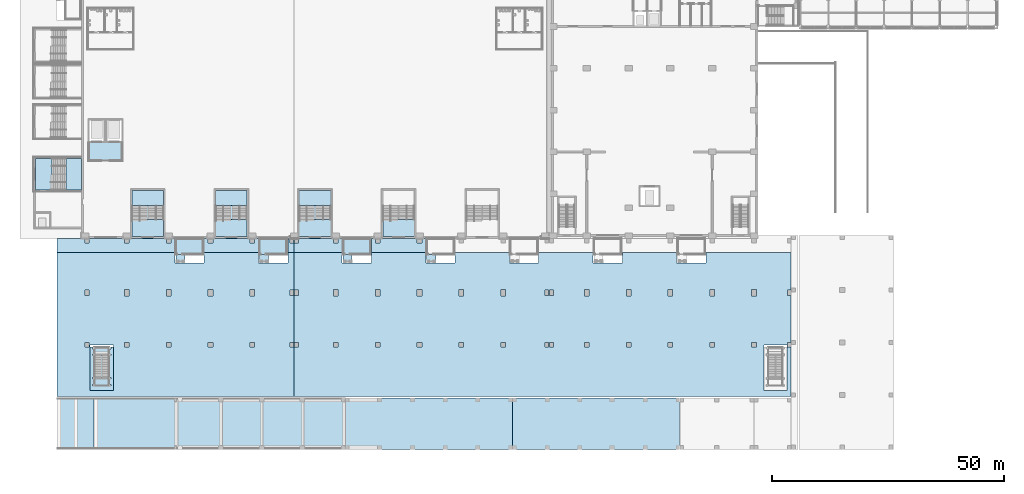
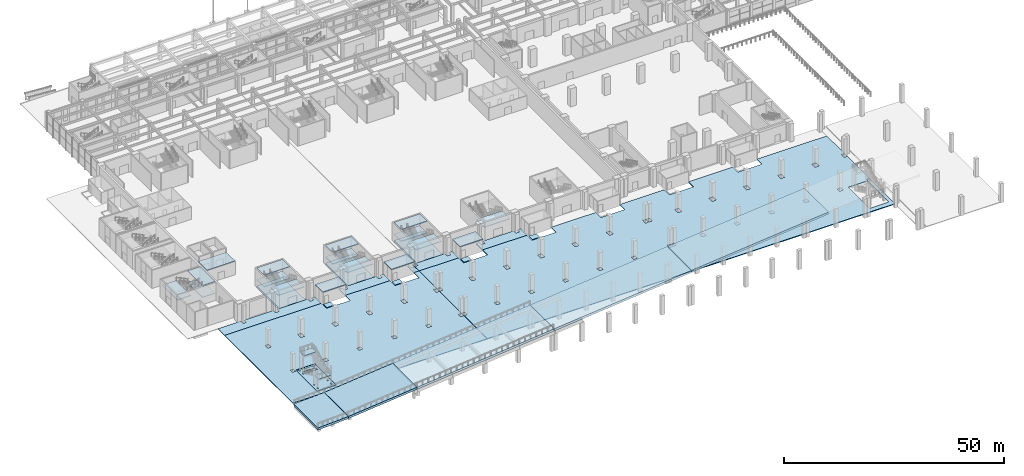
# One storey, part 29 of 77: 39 slabs, 10 elements without a shape of their own.
"""IFC4 building model written with IfcOpenShell, lengths in metres."""

from ifc_helpers import new_model, si_unit, direction, frame, origin, origin_with_axes, place, context, subcontext, project, spatial, polyline, outline, extrude, material, layer, layer_set, type_object, element, aggregate, save


model = new_model("IFC4")

# Units and contexts
model_context = context("Model", 3, precision=1e-05, world=origin(), true_north=direction((0.0, 1.0)))
body_context = subcontext(model_context, "Body", "Model", "MODEL_VIEW")
ifc_project = project(units=[si_unit("LENGTHUNIT", "METRE"), si_unit("AREAUNIT", "SQUARE_METRE"), si_unit("VOLUMEUNIT", "CUBIC_METRE"), si_unit("PLANEANGLEUNIT", "RADIAN"), si_unit("MASSUNIT", "GRAM", prefix="KILO")], contexts=[model_context])

# Site, building, storey
site_placement = place(None, origin())
site = spatial("IfcSite", under=ifc_project, at=site_placement, CompositionType="ELEMENT")
building_placement = place(site_placement, origin())
building = spatial("IfcBuilding", under=site, at=building_placement, Name="Aravalli Gate Trade Fair Centre", CompositionType="ELEMENT")
storey_placement = place(building_placement, origin())
storey = spatial("IfcBuildingStorey", under=building, at=storey_placement, Name="L00", CompositionType="ELEMENT", Elevation=0.0)

# Slabs
ifc_material_1 = material(Name="Concrete M40", Category="concrete")
ifc_layer_1 = layer(ifc_material_1, 0.199951171875)
ifc_layer_set_1 = layer_set([ifc_layer_1], Name="Concrete M40")
slab_type_1 = type_object("IfcSlabType", Name="Apron paving 200", PredefinedType="USERDEFINED", material=ifc_layer_set_1)
slab_1_placement = place(storey_placement, frame((0.0, 0.0, -0.199951171875)))
element("IfcSlab", 1, at=slab_1_placement, inside=storey, type_object=slab_type_1, Name="Paving yard 1, part 1 of 2", ObjectType="PAVING", PredefinedType="USERDEFINED", context=body_context, shape_type="SweptSolid", body=[
    extrude(outline(polyline([(25.35009765625, 40.10009765625), (25.35009765625, 42.39990234375), (0.0, 42.39990234375), (0.0, 11.39990234375), (50.97998046875, 11.39990234375), (50.97998046875, 42.39990234375), (49.64990234375, 42.39990234375), (49.64990234375, 40.10009765625), (43.35009765625, 40.10009765625), (43.35009765625, 42.39990234375), (31.64990234375, 42.39990234375), (31.64990234375, 40.10009765625), (25.35009765625, 40.10009765625)]), holes=[polyline([(7.10009765625, 12.699951171875), (7.10009765625, 22.39990234375), (12.10009765625, 22.39990234375), (12.10009765625, 12.699951171875), (7.10009765625, 12.699951171875)]), polyline([(50.89990234375, 33.10009765625), (50.10009765625, 33.10009765625), (50.10009765625, 34.300048828125), (50.89990234375, 34.300048828125), (50.89990234375, 33.10009765625)]), polyline([(50.89990234375, 22.0), (50.10009765625, 22.0), (50.10009765625, 23.0), (50.89990234375, 23.0), (50.89990234375, 22.0)]), polyline([(42.5, 33.0), (41.5, 33.0), (41.5, 34.39990234375), (42.5, 34.39990234375), (42.5, 33.0)]), polyline([(41.5, 22.0), (41.5, 23.0), (42.5, 23.0), (42.5, 22.0), (41.5, 22.0)]), polyline([(33.5, 33.0), (32.5, 33.0), (32.5, 34.39990234375), (33.5, 34.39990234375), (33.5, 33.0)]), polyline([(32.5, 22.0), (32.5, 23.0), (33.5, 23.0), (33.5, 22.0), (32.5, 22.0)]), polyline([(24.5, 33.0), (23.5, 33.0), (23.5, 34.39990234375), (24.5, 34.39990234375), (24.5, 33.0)]), polyline([(24.5, 22.0), (23.5, 22.0), (23.5, 23.0), (24.5, 23.0), (24.5, 22.0)]), polyline([(15.5, 33.0), (14.5, 33.0), (14.5, 34.39990234375), (15.5, 34.39990234375), (15.5, 33.0)]), polyline([(15.5, 22.0), (14.5, 22.0), (14.5, 23.0), (15.5, 23.0), (15.5, 22.0)]), polyline([(6.800048828125, 33.10009765625), (6.0, 33.10009765625), (6.0, 34.300048828125), (6.800048828125, 34.300048828125), (6.800048828125, 33.10009765625)]), polyline([(6.800048828125, 22.0), (6.0, 22.0), (6.0, 23.0), (6.800048828125, 23.0), (6.800048828125, 22.0)])]), origin(), (0.0, 0.0, 1.0), 0.199951171875),
])
slab_2_placement = place(storey_placement, frame((0.0, 0.0, -0.199951171875)))
element("IfcSlab", 2, at=slab_2_placement, inside=storey, type_object=slab_type_1, Name="Paving yard 1, part 2 of 2", ObjectType="PAVING", PredefinedType="USERDEFINED", context=body_context, shape_type="SweptSolid", body=[
    extrude(outline(polyline([(61.35009765625, 42.39990234375), (51.02001953125, 42.39990234375), (51.02001953125, 11.39990234375), (158.0, 11.39990234375), (158.0, 42.39990234375), (139.64990234375, 42.39990234375), (139.64990234375, 40.10009765625), (133.35009765625, 40.10009765625), (133.35009765625, 42.39990234375), (121.64990234375, 42.39990234375), (121.64990234375, 40.10009765625), (115.35009765625, 40.10009765625), (115.35009765625, 42.39990234375), (103.64990234375, 42.39990234375), (103.64990234375, 40.10009765625), (97.35009765625, 40.10009765625), (97.35009765625, 42.39990234375), (85.64990234375, 42.39990234375), (85.64990234375, 40.10009765625), (79.35009765625, 40.10009765625), (79.35009765625, 42.39990234375), (67.64990234375, 42.39990234375), (67.64990234375, 40.10009765625), (61.35009765625, 40.10009765625), (61.35009765625, 42.39990234375)]), holes=[polyline([(152.10009765625, 12.699951171875), (152.10009765625, 22.39990234375), (157.10009765625, 22.39990234375), (157.10009765625, 12.699951171875), (152.10009765625, 12.699951171875)]), polyline([(157.97998046875, 33.10009765625), (157.179931640625, 33.10009765625), (157.179931640625, 34.300048828125), (157.97998046875, 34.300048828125), (157.97998046875, 33.10009765625)]), polyline([(157.97998046875, 22.0), (157.179931640625, 22.0), (157.179931640625, 23.0), (157.97998046875, 23.0), (157.97998046875, 22.0)]), polyline([(150.5, 33.0), (149.5, 33.0), (149.5, 34.39990234375), (150.5, 34.39990234375), (150.5, 33.0)]), polyline([(150.5, 22.0), (149.5, 22.0), (149.5, 23.0), (150.5, 23.0), (150.5, 22.0)]), polyline([(141.5, 33.0), (140.5, 33.0), (140.5, 34.39990234375), (141.5, 34.39990234375), (141.5, 33.0)]), polyline([(141.5, 22.0), (140.5, 22.0), (140.5, 23.0), (141.5, 23.0), (141.5, 22.0)]), polyline([(132.5, 33.0), (131.5, 33.0), (131.5, 34.39990234375), (132.5, 34.39990234375), (132.5, 33.0)]), polyline([(132.5, 22.0), (131.5, 22.0), (131.5, 23.0), (132.5, 23.0), (132.5, 22.0)]), polyline([(123.5, 33.0), (122.5, 33.0), (122.5, 34.39990234375), (123.5, 34.39990234375), (123.5, 33.0)]), polyline([(123.5, 22.0), (122.5, 22.0), (122.5, 23.0), (123.5, 23.0), (123.5, 22.0)]), polyline([(114.5, 33.0), (113.5, 33.0), (113.5, 34.39990234375), (114.5, 34.39990234375), (114.5, 33.0)]), polyline([(114.5, 22.0), (113.5, 22.0), (113.5, 23.0), (114.5, 23.0), (114.5, 22.0)]), polyline([(106.800048828125, 33.10009765625), (106.0, 33.10009765625), (106.0, 34.300048828125), (106.800048828125, 34.300048828125), (106.800048828125, 33.10009765625)]), polyline([(106.800048828125, 22.0), (106.0, 22.0), (106.0, 23.0), (106.800048828125, 23.0), (106.800048828125, 22.0)]), polyline([(105.800048828125, 33.10009765625), (105.0, 33.10009765625), (105.0, 34.300048828125), (105.800048828125, 34.300048828125), (105.800048828125, 33.10009765625)]), polyline([(105.800048828125, 22.0), (105.0, 22.0), (105.0, 23.0), (105.800048828125, 23.0), (105.800048828125, 22.0)]), polyline([(96.5, 33.0), (95.5, 33.0), (95.5, 34.39990234375), (96.5, 34.39990234375), (96.5, 33.0)]), polyline([(96.5, 22.0), (95.5, 22.0), (95.5, 23.0), (96.5, 23.0), (96.5, 22.0)]), polyline([(87.5, 22.0), (86.5, 22.0), (86.5, 23.0), (87.5, 23.0), (87.5, 22.0)]), polyline([(87.5, 33.0), (86.5, 33.0), (86.5, 34.39990234375), (87.5, 34.39990234375), (87.5, 33.0)]), polyline([(78.5, 33.0), (77.5, 33.0), (77.5, 34.39990234375), (78.5, 34.39990234375), (78.5, 33.0)]), polyline([(78.5, 22.0), (77.5, 22.0), (77.5, 23.0), (78.5, 23.0), (78.5, 22.0)]), polyline([(69.5, 33.0), (68.5, 33.0), (68.5, 34.39990234375), (69.5, 34.39990234375), (69.5, 33.0)]), polyline([(69.5, 22.0), (68.5, 22.0), (68.5, 23.0), (69.5, 23.0), (69.5, 22.0)]), polyline([(60.5, 33.0), (59.5, 33.0), (59.5, 34.39990234375), (60.5, 34.39990234375), (60.5, 33.0)]), polyline([(60.5, 22.0), (59.5, 22.0), (59.5, 23.0), (60.5, 23.0), (60.5, 22.0)]), polyline([(51.89990234375, 22.0), (51.10009765625, 22.0), (51.10009765625, 23.0), (51.89990234375, 23.0), (51.89990234375, 22.0)]), polyline([(51.89990234375, 33.10009765625), (51.10009765625, 33.10009765625), (51.10009765625, 34.300048828125), (51.89990234375, 34.300048828125), (51.89990234375, 33.10009765625)])]), origin(), (0.0, 0.0, 1.0), 0.199951171875),
])
slab_3_placement = place(storey_placement, frame((0.0, 0.0, -0.199951171875)))
element("IfcSlab", 3, at=slab_3_placement, inside=storey, type_object=slab_type_1, Name="Paving lane 2", ObjectType="PAVING", PredefinedType="USERDEFINED", context=body_context, shape_type="SweptSolid", body=[
    extrude(outline(polyline([(0.0, 45.39990234375), (6.0, 45.39990234375), (6.0, 44.39990234375), (6.800048828125, 44.39990234375), (6.800048828125, 45.39990234375), (14.5, 45.39990234375), (14.5, 44.39990234375), (15.5, 44.39990234375), (15.5, 45.39990234375), (23.5, 45.39990234375), (23.5, 44.39990234375), (24.5, 44.39990234375), (24.5, 45.39990234375), (25.35009765625, 45.39990234375), (25.35009765625, 42.39990234375), (0.0, 42.39990234375), (0.0, 45.39990234375)])), origin(), (0.0, 0.0, 1.0), 0.199951171875),
])
slab_4_placement = place(storey_placement, frame((0.0, 0.0, -0.199951171875)))
element("IfcSlab", 4, at=slab_4_placement, inside=storey, type_object=slab_type_1, Name="Paving lane 2", ObjectType="PAVING", PredefinedType="USERDEFINED", context=body_context, shape_type="SweptSolid", body=[
    extrude(outline(polyline([(32.5, 45.39990234375), (32.5, 44.39990234375), (33.5, 44.39990234375), (33.5, 45.39990234375), (41.5, 45.39990234375), (41.5, 44.39990234375), (42.5, 44.39990234375), (42.5, 45.39990234375), (43.35009765625, 45.39990234375), (43.35009765625, 42.39990234375), (31.64990234375, 42.39990234375), (31.64990234375, 45.39990234375), (32.5, 45.39990234375)])), origin(), (0.0, 0.0, 1.0), 0.199951171875),
])
slab_5_placement = place(storey_placement, frame((0.0, 0.0, -0.199951171875)))
element("IfcSlab", 5, at=slab_5_placement, inside=storey, type_object=slab_type_1, Name="Paving lane 2, part 1 of 2", ObjectType="PAVING", PredefinedType="USERDEFINED", context=body_context, shape_type="SweptSolid", body=[
    extrude(outline(polyline([(50.10009765625, 44.39990234375), (50.10009765625, 45.39990234375), (49.64990234375, 45.39990234375), (49.64990234375, 42.39990234375), (50.97998046875, 42.39990234375), (50.97998046875, 45.39990234375), (50.89990234375, 45.39990234375), (50.89990234375, 44.39990234375), (50.10009765625, 44.39990234375)])), origin(), (0.0, 0.0, 1.0), 0.199951171875),
])
slab_6_placement = place(storey_placement, frame((0.0, 0.0, -0.199951171875)))
element("IfcSlab", 6, at=slab_6_placement, inside=storey, type_object=slab_type_1, Name="Paving lane 2, part 2 of 2", ObjectType="PAVING", PredefinedType="USERDEFINED", context=body_context, shape_type="SweptSolid", body=[
    extrude(outline(polyline([(51.10009765625, 45.39990234375), (51.02001953125, 45.39990234375), (51.02001953125, 42.39990234375), (61.35009765625, 42.39990234375), (61.35009765625, 45.39990234375), (60.5, 45.39990234375), (60.5, 44.39990234375), (59.5, 44.39990234375), (59.5, 45.39990234375), (51.89990234375, 45.39990234375), (51.89990234375, 44.39990234375), (51.10009765625, 44.39990234375), (51.10009765625, 45.39990234375)])), origin(), (0.0, 0.0, 1.0), 0.199951171875),
])
slab_7_placement = place(storey_placement, frame((0.0, 0.0, -0.199951171875)))
element("IfcSlab", 7, at=slab_7_placement, inside=storey, type_object=slab_type_1, Name="Paving lane 2", ObjectType="PAVING", PredefinedType="USERDEFINED", context=body_context, shape_type="SweptSolid", body=[
    extrude(outline(polyline([(68.5, 45.39990234375), (68.5, 44.39990234375), (69.5, 44.39990234375), (69.5, 45.39990234375), (77.5, 45.39990234375), (77.5, 44.39990234375), (78.5, 44.39990234375), (78.5, 45.39990234375), (79.35009765625, 45.39990234375), (79.35009765625, 42.39990234375), (67.64990234375, 42.39990234375), (67.64990234375, 45.39990234375), (68.5, 45.39990234375)])), origin(), (0.0, 0.0, 1.0), 0.199951171875),
])
ifc_material_2 = material(Name="Concrete M30", Category="concrete")
ifc_layer_2 = layer(ifc_material_2, 0.199951171875)
ifc_layer_set_2 = layer_set([ifc_layer_2], Name="Concrete M30")
slab_type_2 = type_object("IfcSlabType", Name="Basement exit apron 200", PredefinedType="USERDEFINED", material=ifc_layer_set_2)
slab_8_placement = place(storey_placement, frame((0.0, 0.0, -0.199951171875)))
element("IfcSlab", 8, at=slab_8_placement, inside=storey, type_object=slab_type_2, Name="Basement stair S1 exit apron", ObjectType="PAVING", PredefinedType="USERDEFINED", context=body_context, shape_type="SweptSolid", body=[
    extrude(outline(polyline([(25.550048828125, 41.89990234375), (27.5, 41.89990234375), (27.5, 40.300048828125), (25.550048828125, 40.300048828125), (25.550048828125, 41.89990234375)])), origin(), (0.0, 0.0, 1.0), 0.199951171875),
])
slab_9_placement = place(storey_placement, frame((0.0, 0.0, -0.199951171875)))
element("IfcSlab", 9, at=slab_9_placement, inside=storey, type_object=slab_type_2, Name="Basement stair S2 exit apron", ObjectType="PAVING", PredefinedType="USERDEFINED", context=body_context, shape_type="SweptSolid", body=[
    extrude(outline(polyline([(43.550048828125, 41.89990234375), (45.5, 41.89990234375), (45.5, 40.300048828125), (43.550048828125, 40.300048828125), (43.550048828125, 41.89990234375)])), origin(), (0.0, 0.0, 1.0), 0.199951171875),
])
slab_10_placement = place(storey_placement, frame((0.0, 0.0, -0.199951171875)))
element("IfcSlab", 10, at=slab_10_placement, inside=storey, type_object=slab_type_2, Name="Basement stair S3 exit apron", ObjectType="PAVING", PredefinedType="USERDEFINED", context=body_context, shape_type="SweptSolid", body=[
    extrude(outline(polyline([(61.550048828125, 41.89990234375), (63.5, 41.89990234375), (63.5, 40.300048828125), (61.550048828125, 40.300048828125), (61.550048828125, 41.89990234375)])), origin(), (0.0, 0.0, 1.0), 0.199951171875),
])
slab_11_placement = place(storey_placement, frame((0.0, 0.0, -0.199951171875)))
element("IfcSlab", 11, at=slab_11_placement, inside=storey, type_object=slab_type_2, Name="Basement stair S4 exit apron", ObjectType="PAVING", PredefinedType="USERDEFINED", context=body_context, shape_type="SweptSolid", body=[
    extrude(outline(polyline([(79.550048828125, 41.89990234375), (81.5, 41.89990234375), (81.5, 40.300048828125), (79.550048828125, 40.300048828125), (79.550048828125, 41.89990234375)])), origin(), (0.0, 0.0, 1.0), 0.199951171875),
])
ifc_material_3 = material(Name="Concrete M35", Category="concrete")
ifc_layer_3 = layer(ifc_material_3, 0.199951171875)
ifc_layer_set_3 = layer_set([ifc_layer_3], Name="Concrete M35")
slab_type_3 = type_object("IfcSlabType", Name="Basement stair head roof 200", PredefinedType="ROOF", material=ifc_layer_set_3)
slab_12_placement = place(storey_placement, frame((0.0, 0.0, 3.199951171875)))
element("IfcSlab", 12, at=slab_12_placement, inside=storey, type_object=slab_type_3, Name="Basement stair S1 head roof", PredefinedType="ROOF", context=body_context, shape_type="SweptSolid", body=[
    extrude(outline(polyline([(25.449951171875, 45.39990234375), (31.550048828125, 45.39990234375), (31.550048828125, 41.89990234375), (25.449951171875, 41.89990234375), (25.449951171875, 45.39990234375)])), origin(), (0.0, 0.0, 1.0), 0.199951171875),
])
slab_13_placement = place(storey_placement, frame((0.0, 0.0, 3.199951171875)))
element("IfcSlab", 13, at=slab_13_placement, inside=storey, type_object=slab_type_3, Name="Basement stair S2 head roof", PredefinedType="ROOF", context=body_context, shape_type="SweptSolid", body=[
    extrude(outline(polyline([(43.449951171875, 45.39990234375), (49.550048828125, 45.39990234375), (49.550048828125, 41.89990234375), (43.449951171875, 41.89990234375), (43.449951171875, 45.39990234375)])), origin(), (0.0, 0.0, 1.0), 0.199951171875),
])
slab_14_placement = place(storey_placement, frame((0.0, 0.0, 3.199951171875)))
element("IfcSlab", 14, at=slab_14_placement, inside=storey, type_object=slab_type_3, Name="Basement stair S3 head roof", PredefinedType="ROOF", context=body_context, shape_type="SweptSolid", body=[
    extrude(outline(polyline([(61.449951171875, 45.39990234375), (67.550048828125, 45.39990234375), (67.550048828125, 41.89990234375), (61.449951171875, 41.89990234375), (61.449951171875, 45.39990234375)])), origin(), (0.0, 0.0, 1.0), 0.199951171875),
])
ifc_layer_4 = layer(ifc_material_1, 0.60009765625)
ifc_layer_set_4 = layer_set([ifc_layer_4], Name="Concrete M40")
slab_type_4 = type_object("IfcSlabType", Name="Hall 1 deck RC 600", PredefinedType="FLOOR", material=ifc_layer_set_4)
slab_15_placement = place(storey_placement, frame((0.0, 0.0, -0.60009765625)))
element("IfcSlab", 15, at=slab_15_placement, inside=storey, type_object=slab_type_4, Name="Hall 1 deck panel 1", PredefinedType="FLOOR", context=body_context, shape_type="SweptSolid", body=[
    extrude(outline(polyline([(23.199951171875, 45.39990234375), (15.800048828125, 45.39990234375), (15.800048828125, 45.85009765625), (16.10009765625, 45.85009765625), (16.10009765625, 55.75), (22.89990234375, 55.75), (22.89990234375, 45.85009765625), (23.199951171875, 45.85009765625), (23.199951171875, 45.39990234375)])), origin(), (0.0, 0.0, 1.0), 0.60009765625),
])
slab_16_placement = place(storey_placement, frame((0.0, 0.0, -0.60009765625)))
element("IfcSlab", 16, at=slab_16_placement, inside=storey, type_object=slab_type_4, Name="Hall 1 deck panel 1", PredefinedType="FLOOR", context=body_context, shape_type="SweptSolid", body=[
    extrude(outline(polyline([(41.199951171875, 45.39990234375), (33.800048828125, 45.39990234375), (33.800048828125, 45.85009765625), (34.10009765625, 45.85009765625), (34.10009765625, 55.75), (40.89990234375, 55.75), (40.89990234375, 45.85009765625), (41.199951171875, 45.85009765625), (41.199951171875, 45.39990234375)])), origin(), (0.0, 0.0, 1.0), 0.60009765625),
])
slab_17_placement = place(storey_placement, frame((0.0, 0.0, -0.60009765625)))
element("IfcSlab", 17, at=slab_17_placement, inside=storey, type_object=slab_type_4, Name="Hall 1 deck panel 2", PredefinedType="FLOOR", context=body_context, shape_type="SweptSolid", body=[
    extrude(outline(polyline([(59.199951171875, 45.39990234375), (51.800048828125, 45.39990234375), (51.800048828125, 45.85009765625), (52.10009765625, 45.85009765625), (52.10009765625, 55.75), (58.89990234375, 55.75), (58.89990234375, 45.85009765625), (59.199951171875, 45.85009765625), (59.199951171875, 45.39990234375)])), origin(), (0.0, 0.0, 1.0), 0.60009765625),
])

# Stair, slabs
stair_type_1 = type_object("IfcStairType", Name="Hall exit stair, three flights", PredefinedType="HALF_TURN_STAIR", material=ifc_material_1)
stair_1_placement = place(storey_placement, origin())
stair_1 = element("IfcStair", 18, at=stair_1_placement, inside=storey, type_object=stair_type_1, Name="Exit stair ST-S02 lane A L00", PredefinedType="HALF_TURN_STAIR")
ifc_layer_5 = layer(ifc_material_1, 0.199951171875)
ifc_layer_set_5 = layer_set([ifc_layer_5], Name="Concrete M40")
slab_type_5 = type_object("IfcSlabType", Name="Hall exit stair landing RC 200", PredefinedType="LANDING", material=ifc_layer_set_5)
slab_18_placement = place(storey_placement, frame((0.0, 0.0, 1.564697265625)))
slab_18 = element("IfcSlab", 19, at=slab_18_placement, type_object=slab_type_5, Name="ST-S02A landing 1", PredefinedType="LANDING", context=body_context, shape_type="SweptSolid", body=[
    extrude(outline(polyline([(16.10009765625, 52.449951171875), (22.89990234375, 52.449951171875), (22.89990234375, 55.75), (16.10009765625, 55.75), (16.10009765625, 52.449951171875)])), origin(), (0.0, 0.0, 1.0), 0.199951171875),
])
slab_19_placement = place(storey_placement, frame((0.0, 0.0, 4.800048828125)))
slab_19 = element("IfcSlab", 20, at=slab_19_placement, type_object=slab_type_5, Name="ST-S02A landing 2", PredefinedType="LANDING", context=body_context, shape_type="SweptSolid", body=[
    extrude(outline(polyline([(16.10009765625, 52.449951171875), (22.89990234375, 52.449951171875), (22.89990234375, 55.75), (16.10009765625, 55.75), (16.10009765625, 52.449951171875)])), origin(), (0.0, 0.0, 1.0), 0.199951171875),
])
aggregate(stair_1, [slab_18, slab_19])

# Stair, slab
stair_2_placement = place(storey_placement, origin())
stair_2 = element("IfcStair", 21, at=stair_2_placement, inside=storey, type_object=stair_type_1, Name="Exit stair ST-S02 lane B L00", PredefinedType="HALF_TURN_STAIR")
slab_20_placement = place(storey_placement, frame((0.0, 0.0, 3.182373046875)))
slab_20 = element("IfcSlab", 22, at=slab_20_placement, type_object=slab_type_5, Name="ST-S02B landing 1", PredefinedType="LANDING", context=body_context, shape_type="SweptSolid", body=[
    extrude(outline(polyline([(16.10009765625, 45.85009765625), (22.89990234375, 45.85009765625), (22.89990234375, 49.449951171875), (16.10009765625, 49.449951171875), (16.10009765625, 45.85009765625)])), origin(), (0.0, 0.0, 1.0), 0.199951171875),
])
aggregate(stair_2, [slab_20])

# Stair, slabs
stair_3_placement = place(storey_placement, origin())
stair_3 = element("IfcStair", 23, at=stair_3_placement, inside=storey, type_object=stair_type_1, Name="Exit stair ST-S04 lane A L00", PredefinedType="HALF_TURN_STAIR")
slab_21_placement = place(storey_placement, frame((0.0, 0.0, 1.564697265625)))
slab_21 = element("IfcSlab", 24, at=slab_21_placement, type_object=slab_type_5, Name="ST-S04A landing 1", PredefinedType="LANDING", context=body_context, shape_type="SweptSolid", body=[
    extrude(outline(polyline([(34.10009765625, 52.449951171875), (40.89990234375, 52.449951171875), (40.89990234375, 55.75), (34.10009765625, 55.75), (34.10009765625, 52.449951171875)])), origin(), (0.0, 0.0, 1.0), 0.199951171875),
])
slab_22_placement = place(storey_placement, frame((0.0, 0.0, 4.800048828125)))
slab_22 = element("IfcSlab", 25, at=slab_22_placement, type_object=slab_type_5, Name="ST-S04A landing 2", PredefinedType="LANDING", context=body_context, shape_type="SweptSolid", body=[
    extrude(outline(polyline([(34.10009765625, 52.449951171875), (40.89990234375, 52.449951171875), (40.89990234375, 55.75), (34.10009765625, 55.75), (34.10009765625, 52.449951171875)])), origin(), (0.0, 0.0, 1.0), 0.199951171875),
])
aggregate(stair_3, [slab_21, slab_22])

# Stair, slab
stair_4_placement = place(storey_placement, origin())
stair_4 = element("IfcStair", 26, at=stair_4_placement, inside=storey, type_object=stair_type_1, Name="Exit stair ST-S04 lane B L00", PredefinedType="HALF_TURN_STAIR")
slab_23_placement = place(storey_placement, frame((0.0, 0.0, 3.182373046875)))
slab_23 = element("IfcSlab", 27, at=slab_23_placement, type_object=slab_type_5, Name="ST-S04B landing 1", PredefinedType="LANDING", context=body_context, shape_type="SweptSolid", body=[
    extrude(outline(polyline([(34.10009765625, 45.85009765625), (40.89990234375, 45.85009765625), (40.89990234375, 49.449951171875), (34.10009765625, 49.449951171875), (34.10009765625, 45.85009765625)])), origin(), (0.0, 0.0, 1.0), 0.199951171875),
])
aggregate(stair_4, [slab_23])

# Stair, slabs
stair_5_placement = place(storey_placement, origin())
stair_5 = element("IfcStair", 28, at=stair_5_placement, inside=storey, type_object=stair_type_1, Name="Exit stair ST-S06 lane A L00", PredefinedType="HALF_TURN_STAIR")
slab_24_placement = place(storey_placement, frame((0.0, 0.0, 1.564697265625)))
slab_24 = element("IfcSlab", 29, at=slab_24_placement, type_object=slab_type_5, Name="ST-S06A landing 1", PredefinedType="LANDING", context=body_context, shape_type="SweptSolid", body=[
    extrude(outline(polyline([(52.10009765625, 52.449951171875), (58.89990234375, 52.449951171875), (58.89990234375, 55.75), (52.10009765625, 55.75), (52.10009765625, 52.449951171875)])), origin(), (0.0, 0.0, 1.0), 0.199951171875),
])
slab_25_placement = place(storey_placement, frame((0.0, 0.0, 4.800048828125)))
slab_25 = element("IfcSlab", 30, at=slab_25_placement, type_object=slab_type_5, Name="ST-S06A landing 2", PredefinedType="LANDING", context=body_context, shape_type="SweptSolid", body=[
    extrude(outline(polyline([(52.10009765625, 52.449951171875), (58.89990234375, 52.449951171875), (58.89990234375, 55.75), (52.10009765625, 55.75), (52.10009765625, 52.449951171875)])), origin(), (0.0, 0.0, 1.0), 0.199951171875),
])
aggregate(stair_5, [slab_24, slab_25])

# Stair, slab
stair_6_placement = place(storey_placement, origin())
stair_6 = element("IfcStair", 31, at=stair_6_placement, inside=storey, type_object=stair_type_1, Name="Exit stair ST-S06 lane B L00", PredefinedType="HALF_TURN_STAIR")
slab_26_placement = place(storey_placement, frame((0.0, 0.0, 3.182373046875)))
slab_26 = element("IfcSlab", 32, at=slab_26_placement, type_object=slab_type_5, Name="ST-S06B landing 1", PredefinedType="LANDING", context=body_context, shape_type="SweptSolid", body=[
    extrude(outline(polyline([(52.10009765625, 45.85009765625), (58.89990234375, 45.85009765625), (58.89990234375, 49.449951171875), (52.10009765625, 49.449951171875), (52.10009765625, 45.85009765625)])), origin(), (0.0, 0.0, 1.0), 0.199951171875),
])
aggregate(stair_6, [slab_26])

stair_7_placement = place(storey_placement, origin())
stair_7 = element("IfcStair", 33, at=stair_7_placement, inside=storey, type_object=stair_type_1, Name="Exit stair ST-S08 lane B L00", PredefinedType="HALF_TURN_STAIR")
slab_27_placement = place(storey_placement, frame((0.0, 0.0, 3.182373046875)))
slab_27 = element("IfcSlab", 34, at=slab_27_placement, type_object=slab_type_5, Name="ST-S08B landing 1", PredefinedType="LANDING", context=body_context, shape_type="SweptSolid", body=[
    extrude(outline(polyline([(70.10009765625, 45.85009765625), (76.89990234375, 45.85009765625), (76.89990234375, 49.449951171875), (70.10009765625, 49.449951171875), (70.10009765625, 45.85009765625)])), origin(), (0.0, 0.0, 1.0), 0.199951171875),
])
aggregate(stair_7, [slab_27])

# Stair, slabs
stair_8_placement = place(storey_placement, origin())
stair_8 = element("IfcStair", 35, at=stair_8_placement, inside=storey, type_object=stair_type_1, Name="Exit stair ST-W1 lane A L00", PredefinedType="HALF_TURN_STAIR")
slab_28_placement = place(storey_placement, frame((0.0, 0.0, 1.564697265625)))
slab_28 = element("IfcSlab", 36, at=slab_28_placement, type_object=slab_type_5, Name="ST-W1A landing 1", PredefinedType="LANDING", context=body_context, shape_type="SweptSolid", body=[
    extrude(outline(polyline([(5.199951171875, 55.800048828125), (5.199951171875, 62.60009765625), (1.89990234375, 62.60009765625), (1.89990234375, 55.800048828125), (5.199951171875, 55.800048828125)])), origin(), (0.0, 0.0, 1.0), 0.199951171875),
])
slab_29_placement = place(storey_placement, frame((0.0, 0.0, 4.800048828125)))
slab_29 = element("IfcSlab", 37, at=slab_29_placement, type_object=slab_type_5, Name="ST-W1A landing 2", PredefinedType="LANDING", context=body_context, shape_type="SweptSolid", body=[
    extrude(outline(polyline([(5.199951171875, 55.800048828125), (5.199951171875, 62.60009765625), (1.89990234375, 62.60009765625), (1.89990234375, 55.800048828125), (5.199951171875, 55.800048828125)])), origin(), (0.0, 0.0, 1.0), 0.199951171875),
])
aggregate(stair_8, [slab_28, slab_29])

# Stair, slab
stair_9_placement = place(storey_placement, origin())
stair_9 = element("IfcStair", 38, at=stair_9_placement, inside=storey, type_object=stair_type_1, Name="Exit stair ST-W1 lane B L00", PredefinedType="HALF_TURN_STAIR")
slab_30_placement = place(storey_placement, frame((0.0, 0.0, 3.182373046875)))
slab_30 = element("IfcSlab", 39, at=slab_30_placement, type_object=slab_type_5, Name="ST-W1B landing 1", PredefinedType="LANDING", context=body_context, shape_type="SweptSolid", body=[
    extrude(outline(polyline([(-1.10009765625, 55.800048828125), (-1.10009765625, 62.60009765625), (-4.699951171875, 62.60009765625), (-4.699951171875, 55.800048828125), (-1.10009765625, 55.800048828125)])), origin(), (0.0, 0.0, 1.0), 0.199951171875),
])
aggregate(stair_9, [slab_30])

# Slab
ifc_layer_6 = layer(ifc_material_1, 0.199951171875)
ifc_layer_set_6 = layer_set([ifc_layer_6], Name="Concrete M40")
slab_type_6 = type_object("IfcSlabType", Name="Stair base slab 200", PredefinedType="LANDING", material=ifc_layer_set_6)
slab_31_placement = place(storey_placement, frame((0.0, 0.0, -0.199951171875)))
element("IfcSlab", 40, at=slab_31_placement, inside=storey, type_object=slab_type_6, Name="Stair 1 base slab", PredefinedType="LANDING", context=body_context, shape_type="SweptSolid", body=[
    extrude(outline(polyline([(7.10009765625, 12.699951171875), (7.10009765625, 22.0), (12.10009765625, 22.0), (12.10009765625, 12.699951171875), (7.10009765625, 12.699951171875)]), holes=[polyline([(11.199951171875, 21.97509765625), (11.199951171875, 21.625), (11.550048828125, 21.625), (11.550048828125, 21.97509765625), (11.199951171875, 21.97509765625)]), polyline([(11.199951171875, 20.52490234375), (11.199951171875, 21.0), (8.0, 21.0), (8.0, 20.52490234375), (7.64990234375, 20.52490234375), (7.64990234375, 20.175048828125), (8.0, 20.175048828125), (8.0, 20.199951171875), (11.199951171875, 20.199951171875), (11.199951171875, 20.175048828125), (11.550048828125, 20.175048828125), (11.550048828125, 20.52490234375), (11.199951171875, 20.52490234375)]), polyline([(11.199951171875, 15.425048828125), (11.199951171875, 15.074951171875), (11.550048828125, 15.074951171875), (11.550048828125, 15.425048828125), (11.199951171875, 15.425048828125)]), polyline([(11.199951171875, 13.925048828125), (11.199951171875, 13.574951171875), (11.550048828125, 13.574951171875), (11.550048828125, 13.925048828125), (11.199951171875, 13.925048828125)]), polyline([(7.64990234375, 21.97509765625), (7.64990234375, 21.625), (8.0, 21.625), (8.0, 21.97509765625), (7.64990234375, 21.97509765625)]), polyline([(7.64990234375, 15.425048828125), (7.64990234375, 15.074951171875), (8.0, 15.074951171875), (8.0, 15.425048828125), (7.64990234375, 15.425048828125)]), polyline([(7.64990234375, 13.925048828125), (7.64990234375, 13.574951171875), (8.0, 13.574951171875), (8.0, 13.925048828125), (7.64990234375, 13.925048828125)])]), origin(), (0.0, 0.0, 1.0), 0.199951171875),
])

# Stair, slabs
ifc_material_4 = material(Name="Concrete M45", Category="concrete")
stair_type_2 = type_object("IfcStairType", Name="External stair 1500", PredefinedType="HALF_TURN_STAIR", material=ifc_material_4)
stair_10_placement = place(storey_placement, origin())
stair_10 = element("IfcStair", 41, at=stair_10_placement, inside=storey, type_object=stair_type_2, Name="External stair 1 L00", PredefinedType="HALF_TURN_STAIR")
ifc_layer_7 = layer(ifc_material_4, 0.25)
ifc_layer_set_7 = layer_set([ifc_layer_7], Name="Concrete M45")
slab_type_7 = type_object("IfcSlabType", Name="Stair landing slab RC 250", PredefinedType="LANDING", material=ifc_layer_set_7)
slab_32_placement = place(storey_placement, frame((0.0, 0.0, 2.300048828125)))
slab_32 = element("IfcSlab", 42, at=slab_32_placement, type_object=slab_type_7, Name="SST1 landing 1", PredefinedType="LANDING", context=body_context, shape_type="SweptSolid", body=[
    extrude(outline(polyline([(8.0, 13.60009765625), (11.199951171875, 13.60009765625), (11.199951171875, 15.39990234375), (8.0, 15.39990234375), (8.0, 13.60009765625)])), origin(), (0.0, 0.0, 1.0), 0.199951171875),
])
slab_33_placement = place(storey_placement, frame((0.0, 0.0, 4.800048828125)))
slab_33 = element("IfcSlab", 43, at=slab_33_placement, type_object=slab_type_7, Name="SST1 landing 2", PredefinedType="LANDING", context=body_context, shape_type="SweptSolid", body=[
    extrude(outline(polyline([(8.0, 20.199951171875), (11.199951171875, 20.199951171875), (11.199951171875, 22.0), (8.0, 22.0), (8.0, 20.199951171875)])), origin(), (0.0, 0.0, 1.0), 0.199951171875),
])
aggregate(stair_10, [slab_32, slab_33])

# Slabs
ifc_layer_8 = layer(ifc_material_4, 0.60009765625)
ifc_layer_set_8 = layer_set([ifc_layer_8], Name="Concrete M45")
slab_type_8 = type_object("IfcSlabType", Name="Vehicle ramp landing slab RC 600", PredefinedType="LANDING", material=ifc_layer_set_8)
slab_34_placement = place(storey_placement, origin_with_axes())
element("IfcSlab", 44, at=slab_34_placement, inside=storey, type_object=slab_type_8, Name="Vehicle ramp landing slab RA1-F1", PredefinedType="LANDING", context=body_context, shape_type="SweptSolid", body=[
    extrude(outline(polyline([(0.0, 0.0), (7.97998046875, 0.39892578125), (7.97998046875, -0.201904296875), (0.0, -0.600830078125), (0.0, 0.0)])), frame((0.0, 11.0, 0.0), z_axis=(0.0, -1.0, 0.0), x_axis=(1.0, 0.0, 0.0)), (0.0, 0.0, 1.0), 11.0),
])
ifc_layer_9 = layer(ifc_material_4, 0.60009765625)
ifc_layer_set_9 = layer_set([ifc_layer_9], Name="Concrete M45")
slab_type_9 = type_object("IfcSlabType", Name="Vehicle ramp slab RC 600", PredefinedType="USERDEFINED", material=ifc_layer_set_9)
slab_35_placement = place(storey_placement, frame((8.02001953125, 0.0, 0.0), z_axis=(0.0, 0.0, 1.0), x_axis=(1.0, 0.0, 0.0)))
element("IfcSlab", 45, at=slab_35_placement, inside=storey, type_object=slab_type_9, Name="Vehicle ramp slab RA1-F2.1", ObjectType="PAVING", PredefinedType="USERDEFINED", context=body_context, shape_type="SweptSolid", body=[
    extrude(outline(polyline([(0.0, 0.402099609375), (17.9599609375, 2.197998046875), (17.9599609375, 1.594970703125), (0.0, -0.200927734375), (0.0, 0.402099609375)])), frame((0.0, 11.0, 0.0), z_axis=(0.0, -1.0, 0.0), x_axis=(1.0, 0.0, 0.0)), (0.0, 0.0, 1.0), 11.0),
])
slab_36_placement = place(storey_placement, frame((26.02001953125, 0.0, 0.0), z_axis=(0.0, 0.0, 1.0), x_axis=(1.0, 0.0, 0.0)))
element("IfcSlab", 46, at=slab_36_placement, inside=storey, type_object=slab_type_9, Name="Vehicle ramp slab RA1-F2.2", ObjectType="PAVING", PredefinedType="USERDEFINED", context=body_context, shape_type="SweptSolid", body=[
    extrude(outline(polyline([(0.0, 2.201904296875), (35.9599609375, 5.798095703125), (35.9599609375, 5.195068359375), (0.0, 1.598876953125), (0.0, 2.201904296875)])), frame((0.0, 11.0, 0.0), z_axis=(0.0, -1.0, 0.0), x_axis=(1.0, 0.0, 0.0)), (0.0, 0.0, 1.0), 11.0),
])
slab_37_placement = place(storey_placement, frame((62.02001953125, 0.0, 0.0), z_axis=(0.0, 0.0, 1.0), x_axis=(1.0, 0.0, 0.0)))
element("IfcSlab", 47, at=slab_37_placement, inside=storey, type_object=slab_type_9, Name="Vehicle ramp slab RA1-F2.3", ObjectType="PAVING", PredefinedType="USERDEFINED", context=body_context, shape_type="SweptSolid", body=[
    extrude(outline(polyline([(0.0, 5.802001953125), (35.9599609375, 9.39794921875), (35.9599609375, 8.794921875), (0.0, 5.198974609375), (0.0, 5.802001953125)])), frame((0.0, 11.0, 0.0), z_axis=(0.0, -1.0, 0.0), x_axis=(1.0, 0.0, 0.0)), (0.0, 0.0, 1.0), 11.0),
])
slab_38_placement = place(storey_placement, frame((98.02001953125, 0.0, 0.0), z_axis=(0.0, 0.0, 1.0), x_axis=(1.0, 0.0, 0.0)))
element("IfcSlab", 48, at=slab_38_placement, inside=storey, type_object=slab_type_9, Name="Vehicle ramp slab RA1-F2.4", ObjectType="PAVING", PredefinedType="USERDEFINED", context=body_context, shape_type="SweptSolid", body=[
    extrude(outline(polyline([(0.0, 9.402099609375), (35.9599609375, 12.998046875), (35.9599609375, 12.39501953125), (0.0, 8.799072265625), (0.0, 9.402099609375)])), frame((0.0, 11.0, 0.0), z_axis=(0.0, -1.0, 0.0), x_axis=(1.0, 0.0, 0.0)), (0.0, 0.0, 1.0), 11.0),
])
ifc_layer_10 = layer(ifc_material_1, 0.14990234375)
ifc_layer_set_10 = layer_set([ifc_layer_10], Name="Concrete M40")
slab_type_10 = type_object("IfcSlabType", Name="WC block roof slab 150", PredefinedType="ROOF", material=ifc_layer_set_10)
slab_39_placement = place(storey_placement, frame((0.0, 0.0, 3.699951171875)))
element("IfcSlab", 49, at=slab_39_placement, inside=storey, type_object=slab_type_10, Name="Freight lift lobby roof L00", PredefinedType="ROOF", context=body_context, shape_type="SweptSolid", body=[
    extrude(outline(polyline([(6.699951171875, 62.0), (14.10009765625, 62.0), (14.10009765625, 66.0), (6.699951171875, 66.0), (6.699951171875, 62.0)])), origin(), (0.0, 0.0, 1.0), 0.150146484375),
])

save(model, "model.ifc")
